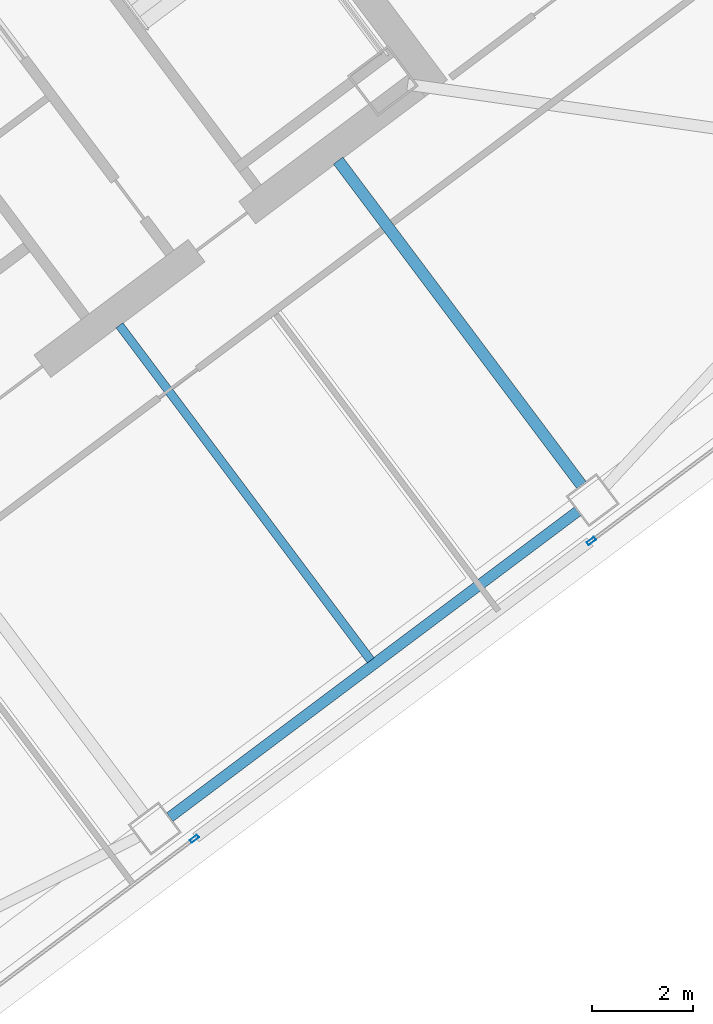
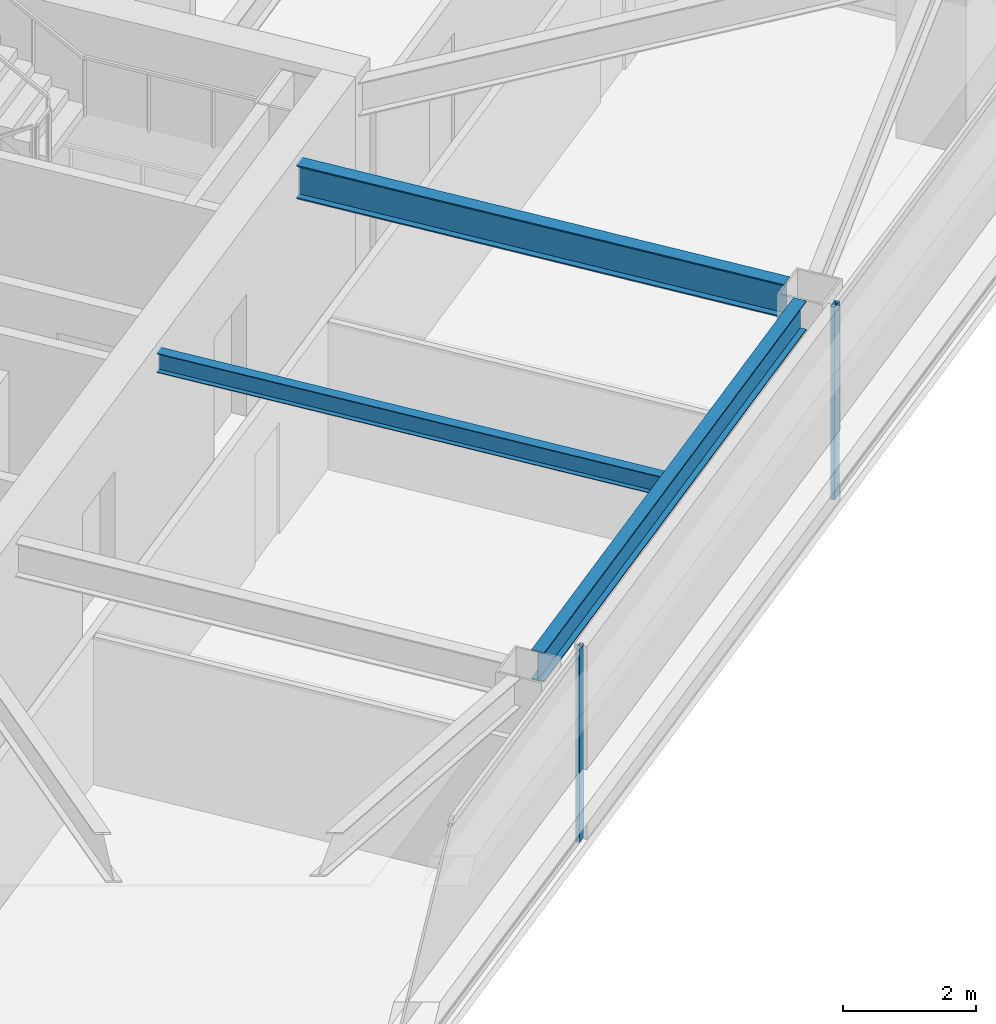
# One storey, part 24 of 41: 3 beams, 2 members, 2 elements without a shape of their own.
"""IFC4 building model written with IfcOpenShell, lengths in metres."""

from ifc_helpers import new_model, si_unit, direction, frame, origin, origin_2d, place, context, subcontext, project, spatial, hollow_rectangle, i_section, extrude, material, material_profile, profile_set, type_object, element, aggregate, save


model = new_model("IFC4")

# Units and contexts
model_context = context("Model", 3, precision=1e-05, world=origin(), true_north=direction((0.0, 1.0)))
body_context = subcontext(model_context, "Body", "Model", "MODEL_VIEW")
ifc_project = project(units=[si_unit("LENGTHUNIT", "METRE"), si_unit("AREAUNIT", "SQUARE_METRE"), si_unit("VOLUMEUNIT", "CUBIC_METRE"), si_unit("PLANEANGLEUNIT", "RADIAN"), si_unit("MASSUNIT", "GRAM", prefix="KILO")], contexts=[model_context])

# Site, building, storey
site_placement = place(None, origin())
site = spatial("IfcSite", under=ifc_project, at=site_placement, CompositionType="ELEMENT")
building_placement = place(site_placement, origin())
building = spatial("IfcBuilding", under=site, at=building_placement, Name="Tashvorn Skyway Center", CompositionType="ELEMENT")
storey_placement = place(building_placement, frame((0.0, 0.0, 192.5)))
storey = spatial("IfcBuildingStorey", under=building, at=storey_placement, Name="L52", CompositionType="ELEMENT", Elevation=192.5)

# Beams
ifc_material_1 = material(Name="Steel ASTM A992 Grade 50", Category="steel")
ifc_material_profile_1 = material_profile(ifc_material_1, i_section(OverallWidth=0.22998046875, OverallDepth=0.616943359375, WebThickness=0.01318359375, FlangeThickness=0.022216796875, at=origin_2d()), Name="W24X94")
ifc_profile_set_1 = profile_set([ifc_material_profile_1], Name="Steel ASTM A992 Grade 50")
beam_type_1 = type_object("IfcBeamType", Name="BM-BEAM-W24X94", PredefinedType="BEAM", material=ifc_profile_set_1)
beam_1_placement = place(storey_placement, frame((127.7880859375, 22.615966796875, 3.0615234375), z_axis=(-0.599995117266, 0.800003662027, 0.0), x_axis=(-0.800003662027, -0.599995117266, 0.0)))
element("IfcBeam", 1, at=beam_1_placement, inside=storey, type_object=beam_type_1, Name="Tower 2 L52 Primary Floor Girder FC-S2", PredefinedType="BEAM", context=body_context, shape_type="SweptSolid", body=[
    extrude(i_section(OverallWidth=0.22998046875, OverallDepth=0.616943359375, WebThickness=0.01318359375, FlangeThickness=0.022216796875, at=origin_2d()), origin(), (0.0, 0.0, 1.0), 8.000244140625),
])
ifc_material_profile_2 = material_profile(ifc_material_1, i_section(OverallWidth=0.1708984375, OverallDepth=0.35498046875, WebThickness=0.007080078125, FlangeThickness=0.01171875, at=origin_2d()), Name="W14X34")
ifc_profile_set_2 = profile_set([ifc_material_profile_2], Name="Steel ASTM A992 Grade 50")
beam_type_2 = type_object("IfcBeamType", Name="BM-JOIST-W14X34", PredefinedType="JOIST", material=ifc_profile_set_2)
beam_2_placement = place(storey_placement, frame((118.674072265625, 25.76806640625, 3.1923828125), z_axis=(0.59999527236, -0.800003545708, 0.0), x_axis=(0.800003545708, 0.59999527236, 0.0)))
element("IfcBeam", 2, at=beam_2_placement, inside=storey, type_object=beam_type_2, Name="Tower 2 L52 Secondary Composite Joist JS", PredefinedType="JOIST", context=body_context, shape_type="SweptSolid", body=[
    extrude(i_section(OverallWidth=0.1708984375, OverallDepth=0.35498046875, WebThickness=0.007080078125, FlangeThickness=0.01171875, at=origin_2d()), origin(), (0.0, 0.0, 1.0), 8.2626953125),
])
ifc_material_profile_3 = material_profile(ifc_material_1, i_section(OverallWidth=0.2109375, OverallDepth=0.5390625, WebThickness=0.01171875, FlangeThickness=0.018798828125, at=origin_2d()), Name="W21X73")
ifc_profile_set_3 = profile_set([ifc_material_profile_3], Name="Steel ASTM A992 Grade 50")
beam_type_3 = type_object("IfcBeamType", Name="BM-SPANDREL-W21X73", PredefinedType="SPANDREL", material=ifc_profile_set_3)
beam_3_placement = place(storey_placement, frame((119.666015625, 16.06201171875, 3.1005859375), z_axis=(0.800008736549, 0.599988351091, 0.0), x_axis=(-0.599988351091, 0.800008736549, 0.0)))
element("IfcBeam", 3, at=beam_3_placement, inside=storey, type_object=beam_type_3, Name="Tower 2 L52 Spandrel Beam 02", PredefinedType="SPANDREL", context=body_context, shape_type="SweptSolid", body=[
    extrude(i_section(OverallWidth=0.2109375, OverallDepth=0.5390625, WebThickness=0.01171875, FlangeThickness=0.018798828125, at=origin_2d()), origin(), (0.0, 0.0, 1.0), 10.06005859375),
])

# Curtain wall, member
ifc_material_2 = material(Name="Thermally broken bronze-anodized aluminium 6063-T6", Category="aluminium")
curtain_wall_type = type_object("IfcCurtainWallType", Name="CW-CW-Z4", PredefinedType="NOTDEFINED", material=ifc_material_2)
curtain_wall_1_placement = place(storey_placement, origin())
curtain_wall_1 = element("IfcCurtainWall", 4, at=curtain_wall_1_placement, inside=storey, type_object=curtain_wall_type, Name="Tower 2 L52 South Unitised Curtain Wall Glazing Group 1", PredefinedType="NOTDEFINED")
ifc_material_profile_4 = material_profile(ifc_material_2, hollow_rectangle(XDim=0.070068359375, YDim=0.179931640625, WallThickness=0.00390625, at=origin_2d()), Name="ALU-MULL-70x180")
ifc_profile_set_4 = profile_set([ifc_material_profile_4], Name="Thermally broken bronze-anodized aluminium 6063-T6")
member_type = type_object("IfcMemberType", Name="CWM-CW-Z4", PredefinedType="MULLION", material=ifc_profile_set_4)
member_1_placement = place(storey_placement, frame((127.98388671875, 21.512939453125, 0.0), z_axis=(0.0, 0.0, 1.0), x_axis=(0.600000000002, -0.799999999998, 0.0)))
member_1 = element("IfcMember", 5, at=member_1_placement, type_object=member_type, Name="CW-Z4 mullion 2", PredefinedType="MULLION", context=body_context, shape_type="SweptSolid", body=[
    extrude(hollow_rectangle(XDim=0.070068359375, YDim=0.179931640625, WallThickness=0.00390625, at=origin_2d()), origin(), (0.0, 0.0, 1.0), 3.550048828125),
])
aggregate(curtain_wall_1, [member_1])

curtain_wall_2_placement = place(storey_placement, origin())
curtain_wall_2 = element("IfcCurtainWall", 6, at=curtain_wall_2_placement, inside=storey, type_object=curtain_wall_type, Name="Tower 2 L52 South Unitised Curtain Wall Glazing Group 2", PredefinedType="NOTDEFINED")
member_2_placement = place(storey_placement, frame((120.152099609375, 15.638916015625, 0.0), z_axis=(0.0, 0.0, 1.0), x_axis=(0.600000000002, -0.799999999998, 0.0)))
member_2 = element("IfcMember", 7, at=member_2_placement, type_object=member_type, Name="CW-Z4 mullion 1", PredefinedType="MULLION", context=body_context, shape_type="SweptSolid", body=[
    extrude(hollow_rectangle(XDim=0.070068359375, YDim=0.179931640625, WallThickness=0.00390625, at=origin_2d()), origin(), (0.0, 0.0, 1.0), 3.550048828125),
])
aggregate(curtain_wall_2, [member_2])

save(model, "model.ifc")
